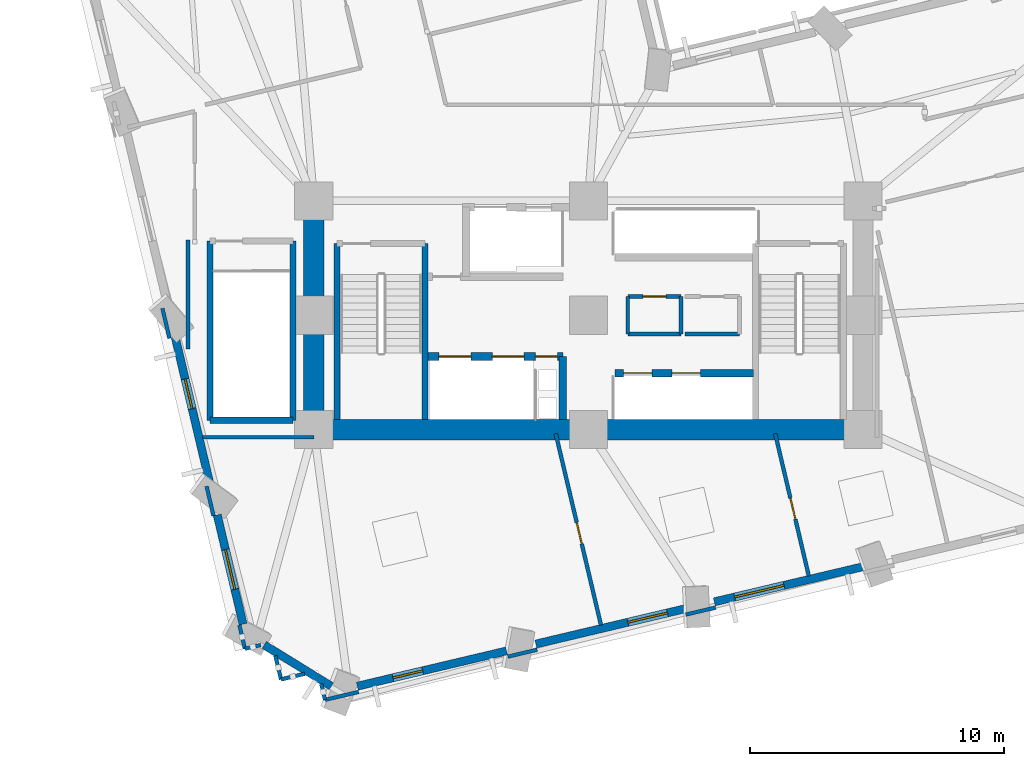
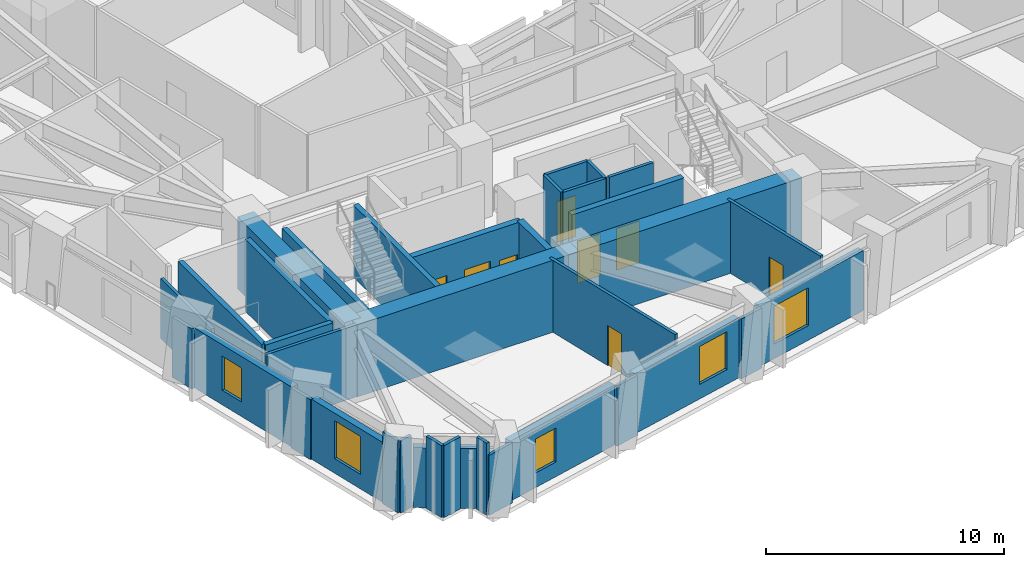
# One storey, part 6 of 14: 36 walls, 8 doors, 5 windows, 13 openings.
"""IFC4 building model written with IfcOpenShell, lengths in metres."""

from ifc_helpers import new_model, si_unit, direction, frame, frame_2d, origin, place, context, subcontext, project, spatial, rectangle, extrude, material, layer, layer_set, type_object, element, fill, save


model = new_model("IFC4")

# Units and contexts
model_context = context("Model", 3, precision=1e-05, world=origin(), true_north=direction((0.0, 1.0)))
body_context = subcontext(model_context, "Body", "Model", "MODEL_VIEW")
ifc_project = project(units=[si_unit("LENGTHUNIT", "METRE"), si_unit("AREAUNIT", "SQUARE_METRE"), si_unit("VOLUMEUNIT", "CUBIC_METRE"), si_unit("PLANEANGLEUNIT", "RADIAN"), si_unit("MASSUNIT", "GRAM", prefix="KILO")], contexts=[model_context])

# Site, building, storey
site_placement = place(None, origin())
site = spatial("IfcSite", under=ifc_project, at=site_placement, CompositionType="ELEMENT")
building_placement = place(site_placement, origin())
building = spatial("IfcBuilding", under=site, at=building_placement, Name="Gaonmaruhae Medical Tower", CompositionType="ELEMENT")
storey_placement = place(building_placement, frame((0.0, 0.0, 79.0)))
storey = spatial("IfcBuildingStorey", under=building, at=storey_placement, Name="L18", CompositionType="ELEMENT", Elevation=79.0)

# Walls
ifc_material_1 = material(Name="Concrete C60/75", Category="concrete")
ifc_layer_1 = layer(ifc_material_1, 0.800048828125)
ifc_layer_set_1 = layer_set([ifc_layer_1], Name="Concrete C60/75")
wall_type_1 = type_object("IfcWallType", Name="CW-800 Lower Core Shear Wall", PredefinedType="SHEAR", material=ifc_layer_set_1)
for number, where, z_axis, x_axis, name in (
    (1, (14.0, 7.800048828125, 0.0), (0.0, 0.0, 1.0), (1.0, 0.0, 0.0), "L18 Core Shear Wall CSW-S1"),
    (2, (24.800048828125, 7.800048828125, 0.0), (0.0, 0.0, 1.0), (1.0, 0.0, 0.0), "L18 Core Shear Wall CSW-S2"),
):
    element("IfcWall", number, at=place(storey_placement, frame(where, z_axis=z_axis, x_axis=x_axis)), inside=storey, type_object=wall_type_1, Name=name, PredefinedType="SHEAR", context=body_context, shape_type="SweptSolid", body=[
        extrude(rectangle(XDim=10.800048828125, YDim=0.800048828125, at=frame_2d((5.39990234375, 0.0))), origin(), (0.0, 0.0, 1.0), 3.699951171875),
    ])
wall_1_placement = place(storey_placement, frame((14.0, 16.800048828125, 0.0), z_axis=(0.0, 0.0, 1.0), x_axis=(0.0, -1.0, 0.0)))
element("IfcWall", 3, at=wall_1_placement, inside=storey, type_object=wall_type_1, Name="L18 Core Shear Wall CSW-W1", PredefinedType="SHEAR", context=body_context, shape_type="SweptSolid", body=[
    extrude(rectangle(XDim=9.0, YDim=0.800048828125, at=frame_2d((4.5, 0.0))), origin(), (0.0, 0.0, 1.0), 3.699951171875),
])

# Wall, opening, window
ifc_material_2 = material(Name="Precast concrete C45/55", Category="concrete")
ifc_layer_2 = layer(ifc_material_2, 0.320068359375)
ifc_layer_set_2 = layer_set([ifc_layer_2], Name="Precast concrete C45/55")
wall_type_2 = type_object("IfcWallType", Name="EW-320 Lower Precast Masonry-Frame Facade Wall", PredefinedType="SOLIDWALL", material=ifc_layer_set_2)
wall_2_placement = place(storey_placement, frame((21.585205078125, -0.9033203125, 0.0), z_axis=(0.0, 0.0, 1.0), x_axis=(-0.973180001823, -0.230044960936, 0.0)))
wall_2 = element("IfcWall", 4, at=wall_2_placement, inside=storey, type_object=wall_type_2, Name="L18 Precast Masonry-Frame Wall S01-S02", PredefinedType="SOLIDWALL", context=body_context, shape_type="SweptSolid", body=[
    extrude(rectangle(XDim=6.034423828125, YDim=0.320068359375, at=frame_2d((3.01708984375, 0.0))), origin(), (0.0, 0.0, 1.0), 3.0849609375),
])
opening_1_placement = place(wall_2_placement, frame((3.391845703125, 0.0, 0.75)))
opening_1 = element("IfcOpeningElement", 5, at=opening_1_placement, cuts=wall_2, Name="Opening WN-05", PredefinedType="OPENING", context=body_context, shape_type="SweptSolid", body=[
    extrude(rectangle(XDim=1.199951171875, YDim=1.75, at=frame_2d((0.60009765625, 0.875))), frame((0.0, 0.169921875, 0.0), z_axis=(0.0, -1.0, 0.0), x_axis=(1.0, 0.0, 0.0)), (0.0, 0.0, 1.0), 0.340087890625),
])
ifc_material_3 = material(Name="Anodised aluminium and Low-E double glazing", Category="aluminium")
window_type_1 = type_object("IfcWindowType", Name="WN-05 Support & Staff Punched Window 1200x1750", PartitioningType="SINGLE_PANEL", PredefinedType="WINDOW", material=ifc_material_3)
window_1_placement = place(opening_1_placement, origin())
window_1 = element("IfcWindow", 6, at=window_1_placement, inside=storey, type_object=window_type_1, Name="L18 Modular Facade Window S01", OverallHeight=1.75, OverallWidth=1.199951171875, PartitioningType="SINGLE_PANEL", PredefinedType="WINDOW", context=body_context, shape_type="SweptSolid", body=[
    extrude(rectangle(XDim=1.199951171875, YDim=1.75, at=frame_2d((0.60009765625, 0.875))), frame((0.0, 0.030029296875, 0.0), z_axis=(0.0, -1.0, 0.0), x_axis=(1.0, 0.0, 0.0)), (0.0, 0.0, 1.0), 0.06005859375),
])
fill(opening_1, window_1)

wall_3_placement = place(storey_placement, frame((28.580810546875, 0.750244140625, 0.0), z_axis=(0.0, 0.0, 1.0), x_axis=(-0.973180476265, -0.230042953851, 0.0)))
wall_3 = element("IfcWall", 7, at=wall_3_placement, inside=storey, type_object=wall_type_2, Name="L18 Precast Masonry-Frame Wall S02-S03", PredefinedType="SOLIDWALL", context=body_context, shape_type="SweptSolid", body=[
    extrude(rectangle(XDim=6.005859375, YDim=0.320068359375, at=frame_2d((3.0029296875, 0.0))), origin(), (0.0, 0.0, 1.0), 3.0849609375),
])
opening_2_placement = place(wall_3_placement, frame((0.6875, 0.0, 0.75)))
opening_2 = element("IfcOpeningElement", 8, at=opening_2_placement, cuts=wall_3, Name="Opening WN-01", PredefinedType="OPENING", context=body_context, shape_type="SweptSolid", body=[
    extrude(rectangle(XDim=1.60009765625, YDim=1.949951171875, at=frame_2d((0.800048828125, 0.97509765625))), frame((0.0, 0.169921875, 0.0), z_axis=(0.0, -1.0, 0.0), x_axis=(1.0, 0.0, 0.0)), (0.0, 0.0, 1.0), 0.340087890625),
])
window_type_2 = type_object("IfcWindowType", Name="WN-01 Ward Punched Acoustic Window 1600x1950", PartitioningType="SINGLE_PANEL", PredefinedType="WINDOW", material=ifc_material_3)
window_2_placement = place(opening_2_placement, origin())
window_2 = element("IfcWindow", 9, at=window_2_placement, inside=storey, type_object=window_type_2, Name="L18 Modular Facade Window S02", OverallHeight=1.949951171875, OverallWidth=1.60009765625, PartitioningType="SINGLE_PANEL", PredefinedType="WINDOW", context=body_context, shape_type="SweptSolid", body=[
    extrude(rectangle(XDim=1.60009765625, YDim=1.949951171875, at=frame_2d((0.800048828125, 0.97509765625))), frame((0.0, 0.030029296875, 0.0), z_axis=(0.0, -1.0, 0.0), x_axis=(1.0, 0.0, 0.0)), (0.0, 0.0, 1.0), 0.06005859375),
])
fill(opening_2, window_2)

wall_4_placement = place(storey_placement, frame((35.582275390625, 2.405517578125, 0.0), z_axis=(0.0, 0.0, 1.0), x_axis=(-0.973170177917, -0.23008651593, 0.0)))
wall_4 = element("IfcWall", 10, at=wall_4_placement, inside=storey, type_object=wall_type_2, Name="L18 Precast Masonry-Frame Wall S03-S04", PredefinedType="SOLIDWALL", context=body_context, shape_type="SweptSolid", body=[
    extrude(rectangle(XDim=5.98974609375, YDim=0.320068359375, at=frame_2d((2.994873046875, 0.0))), origin(), (0.0, 0.0, 1.0), 3.0849609375),
])
opening_3_placement = place(wall_4_placement, frame((3.167236328125, 0.0, 0.75)))
opening_3 = element("IfcOpeningElement", 11, at=opening_3_placement, cuts=wall_4, Name="Opening WN-02", PredefinedType="OPENING", context=body_context, shape_type="SweptSolid", body=[
    extrude(rectangle(XDim=2.0, YDim=1.949951171875, at=frame_2d((1.0, 0.97509765625))), frame((0.0, 0.169921875, 0.0), z_axis=(0.0, -1.0, 0.0), x_axis=(1.0, 0.0, 0.0)), (0.0, 0.0, 1.0), 0.340087890625),
])
window_type_3 = type_object("IfcWindowType", Name="WN-02 Double-Bed Ward Punched Window 2000x1950", PartitioningType="SINGLE_PANEL", PredefinedType="WINDOW", material=ifc_material_3)
window_3_placement = place(opening_3_placement, origin())
window_3 = element("IfcWindow", 12, at=window_3_placement, inside=storey, type_object=window_type_3, Name="L18 Modular Facade Window S03", OverallHeight=1.949951171875, OverallWidth=2.0, PartitioningType="SINGLE_PANEL", PredefinedType="WINDOW", context=body_context, shape_type="SweptSolid", body=[
    extrude(rectangle(XDim=2.0, YDim=1.949951171875, at=frame_2d((1.0, 0.97509765625))), frame((0.0, 0.030029296875, 0.0), z_axis=(0.0, -1.0, 0.0), x_axis=(1.0, 0.0, 0.0)), (0.0, 0.0, 1.0), 0.06005859375),
])
fill(opening_3, window_3)

wall_5_placement = place(storey_placement, frame((9.9296875, 5.6103515625, 0.0), z_axis=(0.0, 0.0, 1.0), x_axis=(-0.230053494691, 0.973177984533, 0.0)))
wall_5 = element("IfcWall", 13, at=wall_5_placement, inside=storey, type_object=wall_type_2, Name="L18 Precast Masonry-Frame Wall W05-W06", PredefinedType="SOLIDWALL", context=body_context, shape_type="SweptSolid", body=[
    extrude(rectangle(XDim=5.9970703125, YDim=0.320068359375, at=frame_2d((2.99853515625, 0.0))), origin(), (0.0, 0.0, 1.0), 3.0849609375),
])
opening_4_placement = place(wall_5_placement, frame((3.095947265625, 0.0, 0.75)))
opening_4 = element("IfcOpeningElement", 14, at=opening_4_placement, cuts=wall_5, Name="Opening WN-05", PredefinedType="OPENING", context=body_context, shape_type="SweptSolid", body=[
    extrude(rectangle(XDim=1.199951171875, YDim=1.75, at=frame_2d((0.60009765625, 0.875))), frame((0.0, 0.169921875, 0.0), z_axis=(0.0, -1.0, 0.0), x_axis=(1.0, 0.0, 0.0)), (0.0, 0.0, 1.0), 0.340087890625),
])
window_4_placement = place(opening_4_placement, origin())
window_4 = element("IfcWindow", 15, at=window_4_placement, inside=storey, type_object=window_type_1, Name="L18 Modular Facade Window W05", OverallHeight=1.75, OverallWidth=1.199951171875, PartitioningType="SINGLE_PANEL", PredefinedType="WINDOW", context=body_context, shape_type="SweptSolid", body=[
    extrude(rectangle(XDim=1.199951171875, YDim=1.75, at=frame_2d((0.60009765625, 0.875))), frame((0.0, 0.030029296875, 0.0), z_axis=(0.0, -1.0, 0.0), x_axis=(1.0, 0.0, 0.0)), (0.0, 0.0, 1.0), 0.06005859375),
])
fill(opening_4, window_4)

wall_6_placement = place(storey_placement, frame((11.220458984375, 0.150390625, 0.0), z_axis=(0.0, 0.0, 1.0), x_axis=(-0.230068288332, 0.973174487286, 0.0)))
wall_6 = element("IfcWall", 16, at=wall_6_placement, inside=storey, type_object=wall_type_2, Name="L18 Precast Masonry-Frame Wall W06-W07", PredefinedType="SOLIDWALL", context=body_context, shape_type="SweptSolid", body=[
    extrude(rectangle(XDim=4.41650390625, YDim=0.320068359375, at=frame_2d((2.208251953125, 0.0))), origin(), (0.0, 0.0, 1.0), 3.0849609375),
])
opening_5_placement = place(wall_6_placement, frame((1.41064453125, 0.0, 0.75)))
opening_5 = element("IfcOpeningElement", 17, at=opening_5_placement, cuts=wall_6, Name="Opening WN-01", PredefinedType="OPENING", context=body_context, shape_type="SweptSolid", body=[
    extrude(rectangle(XDim=1.60009765625, YDim=1.949951171875, at=frame_2d((0.800048828125, 0.97509765625))), frame((0.0, 0.169921875, 0.0), z_axis=(0.0, -1.0, 0.0), x_axis=(1.0, 0.0, 0.0)), (0.0, 0.0, 1.0), 0.340087890625),
])
window_5_placement = place(opening_5_placement, origin())
window_5 = element("IfcWindow", 18, at=window_5_placement, inside=storey, type_object=window_type_2, Name="L18 Modular Facade Window W06", OverallHeight=1.949951171875, OverallWidth=1.60009765625, PartitioningType="SINGLE_PANEL", PredefinedType="WINDOW", context=body_context, shape_type="SweptSolid", body=[
    extrude(rectangle(XDim=1.60009765625, YDim=1.949951171875, at=frame_2d((0.800048828125, 0.97509765625))), frame((0.0, 0.030029296875, 0.0), z_axis=(0.0, -1.0, 0.0), x_axis=(1.0, 0.0, 0.0)), (0.0, 0.0, 1.0), 0.06005859375),
])
fill(opening_5, window_5)

# Walls
wall_7_placement = place(storey_placement, frame((14.688720703125, -2.290771484375, 0.0), z_axis=(0.0, 0.0, 1.0), x_axis=(-0.850818715167, 0.525459336126, 0.0)))
element("IfcWall", 19, at=wall_7_placement, inside=storey, type_object=wall_type_2, Name="L18 Precast Masonry-Frame Wall W07-S01", PredefinedType="SOLIDWALL", context=body_context, shape_type="SweptSolid", body=[
    extrude(rectangle(XDim=3.09912109375, YDim=0.320068359375, at=frame_2d((1.549560546875, 0.0))), origin(), (0.0, 0.0, 1.0), 3.0849609375),
])
ifc_material_4 = material(Name="Gypsum board partition", Category="gypsum")
ifc_layer_3 = layer(ifc_material_4, 0.14990234375)
ifc_layer_set_3 = layer_set([ifc_layer_3], Name="Gypsum board partition")
wall_type_3 = type_object("IfcWallType", Name="PW-150 Rated Clinical Corridor Partition", PredefinedType="PARTITIONING", material=ifc_layer_set_3)
wall_8_placement = place(storey_placement, frame((26.35009765625, 11.56005859375, 0.0), z_axis=(0.0, 0.0, 1.0), x_axis=(0.0, 1.0, 0.0)))
element("IfcWall", 20, at=wall_8_placement, inside=storey, type_object=wall_type_3, Name="L18 Interior Partition L18-CS1-1", PredefinedType="PARTITIONING", context=body_context, shape_type="SweptSolid", body=[
    extrude(rectangle(XDim=1.47998046875, YDim=0.14990234375, at=frame_2d((0.739990234375, 0.0))), origin(), (0.0, 0.0, 1.0), 3.699951171875),
])

# Wall, opening, door
wall_9_placement = place(storey_placement, frame((26.35009765625, 13.0400390625, 0.0), z_axis=(0.0, 0.0, 1.0), x_axis=(1.0, 0.0, 0.0)))
wall_9 = element("IfcWall", 21, at=wall_9_placement, inside=storey, type_object=wall_type_3, Name="L18 Interior Partition L18-CS1-2", PredefinedType="PARTITIONING", context=body_context, shape_type="SweptSolid", body=[
    extrude(rectangle(XDim=2.099853515625, YDim=0.14990234375, at=frame_2d((1.0498046875, 0.0))), origin(), (0.0, 0.0, 1.0), 3.699951171875),
])
opening_6_placement = place(wall_9_placement, frame((0.590087890625, 0.0, 0.0)))
opening_6 = element("IfcOpeningElement", 22, at=opening_6_placement, cuts=wall_9, Name="Opening UD-01", PredefinedType="OPENING", context=body_context, shape_type="SweptSolid", body=[
    extrude(rectangle(XDim=0.919921875, YDim=2.10009765625, at=frame_2d((0.4599609375, 1.050048828125))), frame((0.0, 0.0849609375, 0.0), z_axis=(0.0, -1.0, 0.0), x_axis=(1.0, 0.0, 0.0)), (0.0, 0.0, 1.0), 0.169921875),
])
ifc_material_5 = material(Name="Powder-coated steel utility door", Category="steel")
door_type_1 = type_object("IfcDoorType", Name="UD-01 Toilet, Utility & Housekeeping Door 920x2100", OperationType="NOTDEFINED", PredefinedType="DOOR", material=ifc_material_5)
door_1_placement = place(opening_6_placement, origin())
door_1 = element("IfcDoor", 23, at=door_1_placement, inside=storey, type_object=door_type_1, Name="L18 Accessible Staff Toilet Door", OperationType="SINGLE_SWING_LEFT", OverallHeight=2.10009765625, OverallWidth=0.919921875, PredefinedType="DOOR", context=body_context, shape_type="SweptSolid", body=[
    extrude(rectangle(XDim=0.919921875, YDim=2.10009765625, at=frame_2d((0.4599609375, 1.050048828125))), frame((0.0, 0.02490234375, 0.0), z_axis=(0.0, -1.0, 0.0), x_axis=(1.0, 0.0, 0.0)), (0.0, 0.0, 1.0), 0.050048828125),
])
fill(opening_6, door_1)

# Walls
wall_10_placement = place(storey_placement, frame((28.449951171875, 13.0400390625, 0.0), z_axis=(0.0, 0.0, 1.0), x_axis=(0.0, -1.0, 0.0)))
element("IfcWall", 24, at=wall_10_placement, inside=storey, type_object=wall_type_3, Name="L18 Interior Partition L18-CS1-3", PredefinedType="PARTITIONING", context=body_context, shape_type="SweptSolid", body=[
    extrude(rectangle(XDim=1.47998046875, YDim=0.14990234375, at=frame_2d((0.739990234375, 0.0))), origin(), (0.0, 0.0, 1.0), 3.699951171875),
])
wall_11_placement = place(storey_placement, frame((28.449951171875, 11.56005859375, 0.0), z_axis=(0.0, 0.0, 1.0), x_axis=(-1.0, 0.0, 0.0)))
element("IfcWall", 25, at=wall_11_placement, inside=storey, type_object=wall_type_3, Name="L18 Interior Partition L18-CS1-4", PredefinedType="PARTITIONING", context=body_context, shape_type="SweptSolid", body=[
    extrude(rectangle(XDim=2.099853515625, YDim=0.14990234375, at=frame_2d((1.0498046875, 0.0))), origin(), (0.0, 0.0, 1.0), 3.699951171875),
])
wall_12_placement = place(storey_placement, frame((30.75, 11.56005859375, 0.0), z_axis=(0.0, 0.0, 1.0), x_axis=(-1.0, 0.0, 0.0)))
element("IfcWall", 26, at=wall_12_placement, inside=storey, type_object=wall_type_3, Name="L18 Interior Partition L18-CS2-7", PredefinedType="PARTITIONING", context=body_context, shape_type="SweptSolid", body=[
    extrude(rectangle(XDim=2.14990234375, YDim=0.14990234375, at=frame_2d((1.074951171875, 0.0))), origin(), (0.0, 0.0, 1.0), 3.699951171875),
])
wall_13_placement = place(storey_placement, frame((9.6220703125, 7.5, 0.0), z_axis=(0.0, 0.0, 1.0), x_axis=(1.0, 0.0, 0.0)))
element("IfcWall", 27, at=wall_13_placement, inside=storey, type_object=wall_type_3, Name="L18 Interior Partition L18-SUP01-8", PredefinedType="PARTITIONING", context=body_context, shape_type="SweptSolid", body=[
    extrude(rectangle(XDim=4.3779296875, YDim=0.14990234375, at=frame_2d((2.18896484375, 0.0))), origin(), (0.0, 0.0, 1.0), 3.699951171875),
])
wall_14_placement = place(storey_placement, frame((15.764892578125, -2.514892578125, 0.0), z_axis=(0.0, 0.0, 1.0), x_axis=(-0.97313854594, -0.230220264974, 0.0)))
element("IfcWall", 28, at=wall_14_placement, inside=storey, type_object=wall_type_3, Name="L18 Interior Partition L18-SUP01-10", PredefinedType="PARTITIONING", context=body_context, shape_type="SweptSolid", body=[
    extrude(rectangle(XDim=1.359619140625, YDim=0.14990234375, at=frame_2d((0.6796875, 0.0))), origin(), (0.0, 0.0, 1.0), 3.0849609375),
])
wall_15_placement = place(storey_placement, frame((14.44189453125, -2.827880859375, 0.0), z_axis=(0.0, 0.0, 1.0), x_axis=(-0.230018874395, 0.973186167915, 0.0)))
element("IfcWall", 29, at=wall_15_placement, inside=storey, type_object=wall_type_3, Name="L18 Interior Partition L18-SUP01-11", PredefinedType="PARTITIONING", context=body_context, shape_type="SweptSolid", body=[
    extrude(rectangle(XDim=0.638916015625, YDim=0.14990234375, at=frame_2d((0.3193359375, 0.0))), origin(), (0.0, 0.0, 1.0), 3.699951171875),
])
wall_16_placement = place(storey_placement, frame((13.64404296875, -1.803955078125, 0.0), z_axis=(0.0, 0.0, 1.0), x_axis=(-0.973092306763, -0.230415629937, 0.0)))
element("IfcWall", 30, at=wall_16_placement, inside=storey, type_object=wall_type_3, Name="L18 Interior Partition L18-SUP01-12", PredefinedType="PARTITIONING", context=body_context, shape_type="SweptSolid", body=[
    extrude(rectangle(XDim=0.958984375, YDim=0.14990234375, at=frame_2d((0.4794921875, 0.0))), origin(), (0.0, 0.0, 1.0), 3.699951171875),
])
wall_17_placement = place(storey_placement, frame((12.7109375, -2.02490234375, 0.0), z_axis=(0.0, 0.0, 1.0), x_axis=(-0.23047272965, 0.973078784522, 0.0)))
element("IfcWall", 31, at=wall_17_placement, inside=storey, type_object=wall_type_3, Name="L18 Interior Partition L18-SUP01-13", PredefinedType="PARTITIONING", context=body_context, shape_type="SweptSolid", body=[
    extrude(rectangle(XDim=0.958740234375, YDim=0.14990234375, at=frame_2d((0.4794921875, 0.0))), origin(), (0.0, 0.0, 1.0), 3.699951171875),
])
wall_18_placement = place(storey_placement, frame((11.9169921875, -0.6708984375, 0.0), z_axis=(0.0, 0.0, 1.0), x_axis=(-0.973120843114, -0.230295081789, 0.0)))
element("IfcWall", 32, at=wall_18_placement, inside=storey, type_object=wall_type_3, Name="L18 Interior Partition L18-SUP01-14", PredefinedType="PARTITIONING", context=body_context, shape_type="SweptSolid", body=[
    extrude(rectangle(XDim=0.63916015625, YDim=0.14990234375, at=frame_2d((0.319580078125, 0.0))), origin(), (0.0, 0.0, 1.0), 3.699951171875),
])
wall_19_placement = place(storey_placement, frame((11.294921875, -0.818115234375, 0.0), z_axis=(0.0, 0.0, 1.0), x_axis=(-0.230187505827, 0.973146295354, 0.0)))
element("IfcWall", 33, at=wall_19_placement, inside=storey, type_object=wall_type_3, Name="L18 Interior Partition L18-SUP01-15", PredefinedType="PARTITIONING", context=body_context, shape_type="SweptSolid", body=[
    extrude(rectangle(XDim=0.9599609375, YDim=0.14990234375, at=frame_2d((0.47998046875, 0.0))), origin(), (0.0, 0.0, 1.0), 3.699951171875),
])
wall_20_placement = place(storey_placement, frame((10.05810546875, 4.4140625, 0.0), z_axis=(0.0, 0.0, 1.0), x_axis=(-0.229666230809, 0.973269450063, 0.0)))
element("IfcWall", 34, at=wall_20_placement, inside=storey, type_object=wall_type_3, Name="L18 Interior Partition L18-SUP01-16", PredefinedType="PARTITIONING", context=body_context, shape_type="SweptSolid", body=[
    extrude(rectangle(XDim=1.19384765625, YDim=0.14990234375, at=frame_2d((0.596923828125, 0.0))), origin(), (0.0, 0.0, 1.0), 3.0849609375),
])
wall_21_placement = place(storey_placement, frame((22.7890625, -0.85498046875, 0.0), z_axis=(0.0, 0.0, 1.0), x_axis=(-0.973205611237, -0.229936596165, 0.0)))
element("IfcWall", 35, at=wall_21_placement, inside=storey, type_object=wall_type_3, Name="L18 Interior Partition L18-SUP02-17", PredefinedType="PARTITIONING", context=body_context, shape_type="SweptSolid", body=[
    extrude(rectangle(XDim=1.182861328125, YDim=0.14990234375, at=frame_2d((0.59130859375, 0.0))), origin(), (0.0, 0.0, 1.0), 3.0849609375),
])

# Wall, opening, door
wall_22_placement = place(storey_placement, frame((23.51611328125, 7.64404296875, 0.0), z_axis=(0.0, 0.0, 1.0), x_axis=(0.230141707273, -0.973157127382, 0.0)))
wall_22 = element("IfcWall", 36, at=wall_22_placement, inside=storey, type_object=wall_type_3, Name="L18 Interior Partition L18-SUP02-18", PredefinedType="PARTITIONING", context=body_context, shape_type="SweptSolid", body=[
    extrude(rectangle(XDim=7.73876953125, YDim=0.14990234375, at=frame_2d((3.869384765625, 0.0))), origin(), (0.0, 0.0, 1.0), 3.699951171875),
])
opening_7_placement = place(wall_22_placement, frame((3.59375, 0.0, 0.0)))
opening_7 = element("IfcOpeningElement", 37, at=opening_7_placement, cuts=wall_22, Name="Opening AD-01", PredefinedType="OPENING", context=body_context, shape_type="SweptSolid", body=[
    extrude(rectangle(XDim=0.860107421875, YDim=2.06005859375, at=frame_2d((0.43017578125, 1.030029296875))), frame((0.0, 0.0849609375, 0.0), z_axis=(0.0, -1.0, 0.0), x_axis=(1.0, 0.0, 0.0)), (0.0, 0.0, 1.0), 0.169921875),
])
ifc_material_6 = material(Name="Powder-coated steel access door", Category="steel")
door_type_2 = type_object("IfcDoorType", Name="AD-01 Riser & Closet Access Fire Door 860x2060", OperationType="NOTDEFINED", PredefinedType="DOOR", material=ifc_material_6)
door_2_placement = place(opening_7_placement, origin())
door_2 = element("IfcDoor", 38, at=door_2_placement, inside=storey, type_object=door_type_2, Name="L18 Clinical Biomedical Charting Office Sliding Door", OperationType="SLIDING_TO_LEFT", OverallHeight=2.06005859375, OverallWidth=0.860107421875, PredefinedType="DOOR", context=body_context, shape_type="SweptSolid", body=[
    extrude(rectangle(XDim=0.860107421875, YDim=2.06005859375, at=frame_2d((0.43017578125, 1.030029296875))), frame((0.0, 0.02490234375, 0.0), z_axis=(0.0, -1.0, 0.0), x_axis=(1.0, 0.0, 0.0)), (0.0, 0.0, 1.0), 0.050048828125),
])
fill(opening_7, door_2)

# Wall
wall_23_placement = place(storey_placement, frame((29.805908203125, 0.803955078125, 0.0), z_axis=(0.0, 0.0, 1.0), x_axis=(-0.972982103607, -0.230880545002, 0.0)))
element("IfcWall", 39, at=wall_23_placement, inside=storey, type_object=wall_type_3, Name="L18 Interior Partition L18-SUP03-19", PredefinedType="PARTITIONING", context=body_context, shape_type="SweptSolid", body=[
    extrude(rectangle(XDim=1.204345703125, YDim=0.14990234375, at=frame_2d((0.60205078125, 0.0))), origin(), (0.0, 0.0, 1.0), 3.0849609375),
])

# Wall, opening, door
wall_24_placement = place(storey_placement, frame((32.14794921875, 7.64404296875, 0.0), z_axis=(0.0, 0.0, 1.0), x_axis=(0.22995457353, -0.9732013636, 0.0)))
wall_24 = element("IfcWall", 40, at=wall_24_placement, inside=storey, type_object=wall_type_3, Name="L18 Interior Partition L18-SUP03-20", PredefinedType="PARTITIONING", context=body_context, shape_type="SweptSolid", body=[
    extrude(rectangle(XDim=5.75341796875, YDim=0.14990234375, at=frame_2d((2.876708984375, 0.0))), origin(), (0.0, 0.0, 1.0), 3.699951171875),
])
opening_8_placement = place(wall_24_placement, frame((2.600830078125, 0.0, 0.0)))
opening_8 = element("IfcOpeningElement", 41, at=opening_8_placement, cuts=wall_24, Name="Opening AD-01", PredefinedType="OPENING", context=body_context, shape_type="SweptSolid", body=[
    extrude(rectangle(XDim=0.860107421875, YDim=2.06005859375, at=frame_2d((0.43017578125, 1.030029296875))), frame((0.0, 0.0849609375, 0.0), z_axis=(0.0, -1.0, 0.0), x_axis=(1.0, 0.0, 0.0)), (0.0, 0.0, 1.0), 0.169921875),
])
door_3_placement = place(opening_8_placement, origin())
door_3 = element("IfcDoor", 42, at=door_3_placement, inside=storey, type_object=door_type_2, Name="L18 Clinical Biomedical Charting Office Sliding Door", OperationType="SLIDING_TO_LEFT", OverallHeight=2.06005859375, OverallWidth=0.860107421875, PredefinedType="DOOR", context=body_context, shape_type="SweptSolid", body=[
    extrude(rectangle(XDim=0.860107421875, YDim=2.06005859375, at=frame_2d((0.43017578125, 1.030029296875))), frame((0.0, 0.02490234375, 0.0), z_axis=(0.0, -1.0, 0.0), x_axis=(1.0, 0.0, 0.0)), (0.0, 0.0, 1.0), 0.050048828125),
])
fill(opening_8, door_3)

# Walls
wall_25_placement = place(storey_placement, frame((9.050048828125, 15.260009765625, 0.0), z_axis=(0.0, 0.0, 1.0), x_axis=(0.0, -1.0, 0.0)))
element("IfcWall", 43, at=wall_25_placement, inside=storey, type_object=wall_type_3, Name="L18 Interior Partition L18-WCL09-43", PredefinedType="PARTITIONING", context=body_context, shape_type="SweptSolid", body=[
    extrude(rectangle(XDim=4.2939453125, YDim=0.14990234375, at=frame_2d((2.14697265625, 0.0))), origin(), (0.0, 0.0, 1.0), 3.0849609375),
])
wall_26_placement = place(storey_placement, frame((8.325927734375, 11.39404296875, 0.0), z_axis=(0.0, 0.0, 1.0), x_axis=(-0.229556496303, 0.973295338017, 0.0)))
element("IfcWall", 44, at=wall_26_placement, inside=storey, type_object=wall_type_3, Name="L18 Interior Partition L18-WCL09-44", PredefinedType="PARTITIONING", context=body_context, shape_type="SweptSolid", body=[
    extrude(rectangle(XDim=1.210205078125, YDim=0.14990234375, at=frame_2d((0.60498046875, 0.0))), origin(), (0.0, 0.0, 1.0), 3.0849609375),
])
ifc_material_7 = material(Name="Concrete C50/60", Category="concrete")
ifc_layer_4 = layer(ifc_material_7, 0.239990234375)
ifc_layer_set_4 = layer_set([ifc_layer_4], Name="Concrete C50/60")
wall_type_4 = type_object("IfcWallType", Name="SW-240 Dogleg Stair Tight Shaft Wall", PredefinedType="SOLIDWALL", material=ifc_layer_set_4)
for number, where, z_axis, x_axis, name in (
    (45, (18.3798828125, 15.1201171875, 0.0), (0.0, 0.0, 1.0), (0.0, -1.0, 0.0), "L18 ST-01 Stair Shaft Wall SHW-ST-01-E"),
    (46, (14.919921875, 8.199951171875, 0.0), (0.0, 0.0, 1.0), (0.0, 1.0, 0.0), "L18 ST-01 Stair Shaft Wall SHW-ST-01-W"),
):
    element("IfcWall", number, at=place(storey_placement, frame(where, z_axis=z_axis, x_axis=x_axis)), inside=storey, type_object=wall_type_4, Name=name, PredefinedType="SOLIDWALL", context=body_context, shape_type="SweptSolid", body=[
        extrude(rectangle(XDim=6.920166015625, YDim=0.239990234375, at=frame_2d((3.4599609375, 0.0))), origin(), (0.0, 0.0, 1.0), 3.699951171875),
    ])
wall_27_placement = place(storey_placement, frame((13.179931640625, 15.219970703125, 0.0), z_axis=(0.0, 0.0, 1.0), x_axis=(0.0, -1.0, 0.0)))
element("IfcWall", 47, at=wall_27_placement, inside=storey, type_object=wall_type_4, Name="L18 ST-03 Stair Shaft Wall SHW-ST-03-E", PredefinedType="SOLIDWALL", context=body_context, shape_type="SweptSolid", body=[
    extrude(rectangle(XDim=7.050048828125, YDim=0.239990234375, at=frame_2d((3.52490234375, 0.0))), origin(), (0.0, 0.0, 1.0), 3.699951171875),
])
wall_28_placement = place(storey_placement, frame((13.179931640625, 8.169921875, 0.0), z_axis=(0.0, 0.0, 1.0), x_axis=(-1.0, 0.0, 0.0)))
element("IfcWall", 48, at=wall_28_placement, inside=storey, type_object=wall_type_4, Name="L18 ST-03 Stair Shaft Wall SHW-ST-03-S", PredefinedType="SOLIDWALL", context=body_context, shape_type="SweptSolid", body=[
    extrude(rectangle(XDim=3.260009765625, YDim=0.239990234375, at=frame_2d((1.6298828125, 0.0))), origin(), (0.0, 0.0, 1.0), 3.699951171875),
])
wall_29_placement = place(storey_placement, frame((9.919921875, 8.169921875, 0.0), z_axis=(0.0, 0.0, 1.0), x_axis=(0.0, 1.0, 0.0)))
element("IfcWall", 49, at=wall_29_placement, inside=storey, type_object=wall_type_4, Name="L18 ST-03 Stair Shaft Wall SHW-ST-03-W", PredefinedType="SOLIDWALL", context=body_context, shape_type="SweptSolid", body=[
    extrude(rectangle(XDim=7.050048828125, YDim=0.239990234375, at=frame_2d((3.52490234375, 0.0))), origin(), (0.0, 0.0, 1.0), 3.699951171875),
])

# Wall, openings, doors
ifc_layer_5 = layer(ifc_material_7, 0.300048828125)
ifc_layer_set_5 = layer_set([ifc_layer_5], Name="Concrete C50/60")
wall_type_5 = type_object("IfcWallType", Name="SW-300 Stair & Lift Hoistway Shaft Wall", PredefinedType="SOLIDWALL", material=ifc_layer_set_5)
wall_30_placement = place(storey_placement, frame((18.5, 10.679931640625, 0.0), z_axis=(0.0, 0.0, 1.0), x_axis=(1.0, 0.0, 0.0)))
wall_30 = element("IfcWall", 50, at=wall_30_placement, inside=storey, type_object=wall_type_5, Name="L18 Shaft Enclosure Wall SHW-FFN", PredefinedType="SOLIDWALL", context=body_context, shape_type="SweptSolid", body=[
    extrude(rectangle(XDim=5.300048828125, YDim=0.300048828125, at=frame_2d((2.64990234375, 0.0))), origin(), (0.0, 0.0, 1.0), 3.699951171875),
])
opening_9_placement = place(wall_30_placement, frame((4.219970703125, 0.0, 0.0)))
opening_9 = element("IfcOpeningElement", 51, at=opening_9_placement, cuts=wall_30, Name="Opening AD-01", PredefinedType="OPENING", context=body_context, shape_type="SweptSolid", body=[
    extrude(rectangle(XDim=0.860107421875, YDim=2.06005859375, at=frame_2d((0.43017578125, 1.030029296875))), frame((0.0, 0.16015625, 0.0), z_axis=(0.0, -1.0, 0.0), x_axis=(1.0, 0.0, 0.0)), (0.0, 0.0, 1.0), 0.320068359375),
])
opening_10_placement = place(wall_30_placement, frame((0.425048828125, 0.0, 0.0)))
opening_10 = element("IfcOpeningElement", 52, at=opening_10_placement, cuts=wall_30, Name="Opening LD-F1", PredefinedType="OPENING", context=body_context, shape_type="SweptSolid", body=[
    extrude(rectangle(XDim=1.25, YDim=2.179931640625, at=frame_2d((0.625, 1.08984375))), frame((0.0, 0.16015625, 0.0), z_axis=(0.0, -1.0, 0.0), x_axis=(1.0, 0.0, 0.0)), (0.0, 0.0, 1.0), 0.320068359375),
])
opening_11_placement = place(wall_30_placement, frame((2.52490234375, 0.0, 0.0)))
opening_11 = element("IfcOpeningElement", 53, at=opening_11_placement, cuts=wall_30, Name="Opening LD-F1", PredefinedType="OPENING", context=body_context, shape_type="SweptSolid", body=[
    extrude(rectangle(XDim=1.25, YDim=2.179931640625, at=frame_2d((0.625, 1.08984375))), frame((0.0, 0.16015625, 0.0), z_axis=(0.0, -1.0, 0.0), x_axis=(1.0, 0.0, 0.0)), (0.0, 0.0, 1.0), 0.320068359375),
])
door_4_placement = place(opening_9_placement, origin())
door_4 = element("IfcDoor", 54, at=door_4_placement, inside=storey, type_object=door_type_2, Name="L18 Medical Gas and MEP Riser Access Door", OperationType="SINGLE_SWING_RIGHT", OverallHeight=2.06005859375, OverallWidth=0.860107421875, PredefinedType="DOOR", context=body_context, shape_type="SweptSolid", body=[
    extrude(rectangle(XDim=0.860107421875, YDim=2.06005859375, at=frame_2d((0.43017578125, 1.030029296875))), frame((0.0, 0.02490234375, 0.0), z_axis=(0.0, -1.0, 0.0), x_axis=(1.0, 0.0, 0.0)), (0.0, 0.0, 1.0), 0.050048828125),
])
fill(opening_9, door_4)
ifc_material_8 = material(Name="Brushed stainless steel 316L landing door", Category="steel")
door_type_3 = type_object("IfcDoorType", Name="LD-F1 Firefighting & Bed Lift Sliding Landing Door 1250x2180", OperationType="NOTDEFINED", PredefinedType="DOOR", material=ifc_material_8)
door_5_placement = place(opening_10_placement, origin())
door_5 = element("IfcDoor", 55, at=door_5_placement, inside=storey, type_object=door_type_3, Name="L18 Firefighting Lift Landing Door FFL-01", OperationType="DOUBLE_DOOR_SLIDING", OverallHeight=2.179931640625, OverallWidth=1.25, PredefinedType="DOOR", context=body_context, shape_type="SweptSolid", body=[
    extrude(rectangle(XDim=1.25, YDim=2.179931640625, at=frame_2d((0.625, 1.08984375))), frame((0.0, 0.02490234375, 0.0), z_axis=(0.0, -1.0, 0.0), x_axis=(1.0, 0.0, 0.0)), (0.0, 0.0, 1.0), 0.050048828125),
])
fill(opening_10, door_5)
door_6_placement = place(opening_11_placement, origin())
door_6 = element("IfcDoor", 56, at=door_6_placement, inside=storey, type_object=door_type_3, Name="L18 Firefighting Lift Landing Door FFL-02", OperationType="DOUBLE_DOOR_SLIDING", OverallHeight=2.179931640625, OverallWidth=1.25, PredefinedType="DOOR", context=body_context, shape_type="SweptSolid", body=[
    extrude(rectangle(XDim=1.25, YDim=2.179931640625, at=frame_2d((0.625, 1.08984375))), frame((0.0, 0.02490234375, 0.0), z_axis=(0.0, -1.0, 0.0), x_axis=(1.0, 0.0, 0.0)), (0.0, 0.0, 1.0), 0.050048828125),
])
fill(opening_11, door_6)

# Wall
wall_31_placement = place(storey_placement, frame((23.800048828125, 8.199951171875, 0.0), z_axis=(0.0, 0.0, 1.0), x_axis=(0.0, 1.0, 0.0)))
element("IfcWall", 57, at=wall_31_placement, inside=storey, type_object=wall_type_5, Name="L18 Shaft Enclosure Wall SHW-FFE", PredefinedType="SOLIDWALL", context=body_context, shape_type="SweptSolid", body=[
    extrude(rectangle(XDim=2.47998046875, YDim=0.300048828125, at=frame_2d((1.239990234375, 0.0))), origin(), (0.0, 0.0, 1.0), 3.699951171875),
])

# Wall, openings, doors
wall_32_placement = place(storey_placement, frame((25.85009765625, 10.02001953125, 0.0), z_axis=(0.0, 0.0, 1.0), x_axis=(1.0, 0.0, 0.0)))
wall_32 = element("IfcWall", 58, at=wall_32_placement, inside=storey, type_object=wall_type_5, Name="L18 Shaft Enclosure Wall SHW-PLS", PredefinedType="SOLIDWALL", context=body_context, shape_type="SweptSolid", body=[
    extrude(rectangle(XDim=5.449951171875, YDim=0.300048828125, at=frame_2d((2.72509765625, 0.0))), origin(), (0.0, 0.0, 1.0), 3.699951171875),
])
opening_12_placement = place(wall_32_placement, frame((0.340087890625, 0.0, 0.0)))
opening_12 = element("IfcOpeningElement", 59, at=opening_12_placement, cuts=wall_32, Name="Opening LD-P1", PredefinedType="OPENING", context=body_context, shape_type="SweptSolid", body=[
    extrude(rectangle(XDim=1.1201171875, YDim=2.14990234375, at=frame_2d((0.56005859375, 1.074951171875))), frame((0.0, 0.16015625, 0.0), z_axis=(0.0, -1.0, 0.0), x_axis=(1.0, 0.0, 0.0)), (0.0, 0.0, 1.0), 0.320068359375),
])
opening_13_placement = place(wall_32_placement, frame((2.239990234375, 0.0, 0.0)))
opening_13 = element("IfcOpeningElement", 60, at=opening_13_placement, cuts=wall_32, Name="Opening LD-P1", PredefinedType="OPENING", context=body_context, shape_type="SweptSolid", body=[
    extrude(rectangle(XDim=1.1201171875, YDim=2.14990234375, at=frame_2d((0.56005859375, 1.074951171875))), frame((0.0, 0.16015625, 0.0), z_axis=(0.0, -1.0, 0.0), x_axis=(1.0, 0.0, 0.0)), (0.0, 0.0, 1.0), 0.320068359375),
])
ifc_material_9 = material(Name="Brushed stainless steel 304 landing door", Category="steel")
door_type_4 = type_object("IfcDoorType", Name="LD-P1 Passenger Lift Sliding Landing Door 1120x2150", OperationType="NOTDEFINED", PredefinedType="DOOR", material=ifc_material_9)
door_7_placement = place(opening_12_placement, origin())
door_7 = element("IfcDoor", 61, at=door_7_placement, inside=storey, type_object=door_type_4, Name="L18 Passenger Lift Landing Door PL-L1", OperationType="DOUBLE_DOOR_SLIDING", OverallHeight=2.14990234375, OverallWidth=1.1201171875, PredefinedType="DOOR", context=body_context, shape_type="SweptSolid", body=[
    extrude(rectangle(XDim=1.1201171875, YDim=2.14990234375, at=frame_2d((0.56005859375, 1.074951171875))), frame((0.0, 0.02490234375, 0.0), z_axis=(0.0, -1.0, 0.0), x_axis=(1.0, 0.0, 0.0)), (0.0, 0.0, 1.0), 0.050048828125),
])
fill(opening_12, door_7)
door_8_placement = place(opening_13_placement, origin())
door_8 = element("IfcDoor", 62, at=door_8_placement, inside=storey, type_object=door_type_4, Name="L18 Passenger Lift Landing Door PL-L2", OperationType="DOUBLE_DOOR_SLIDING", OverallHeight=2.14990234375, OverallWidth=1.1201171875, PredefinedType="DOOR", context=body_context, shape_type="SweptSolid", body=[
    extrude(rectangle(XDim=1.1201171875, YDim=2.14990234375, at=frame_2d((0.56005859375, 1.074951171875))), frame((0.0, 0.02490234375, 0.0), z_axis=(0.0, -1.0, 0.0), x_axis=(1.0, 0.0, 0.0)), (0.0, 0.0, 1.0), 0.050048828125),
])
fill(opening_13, door_8)

save(model, "model.ifc")
